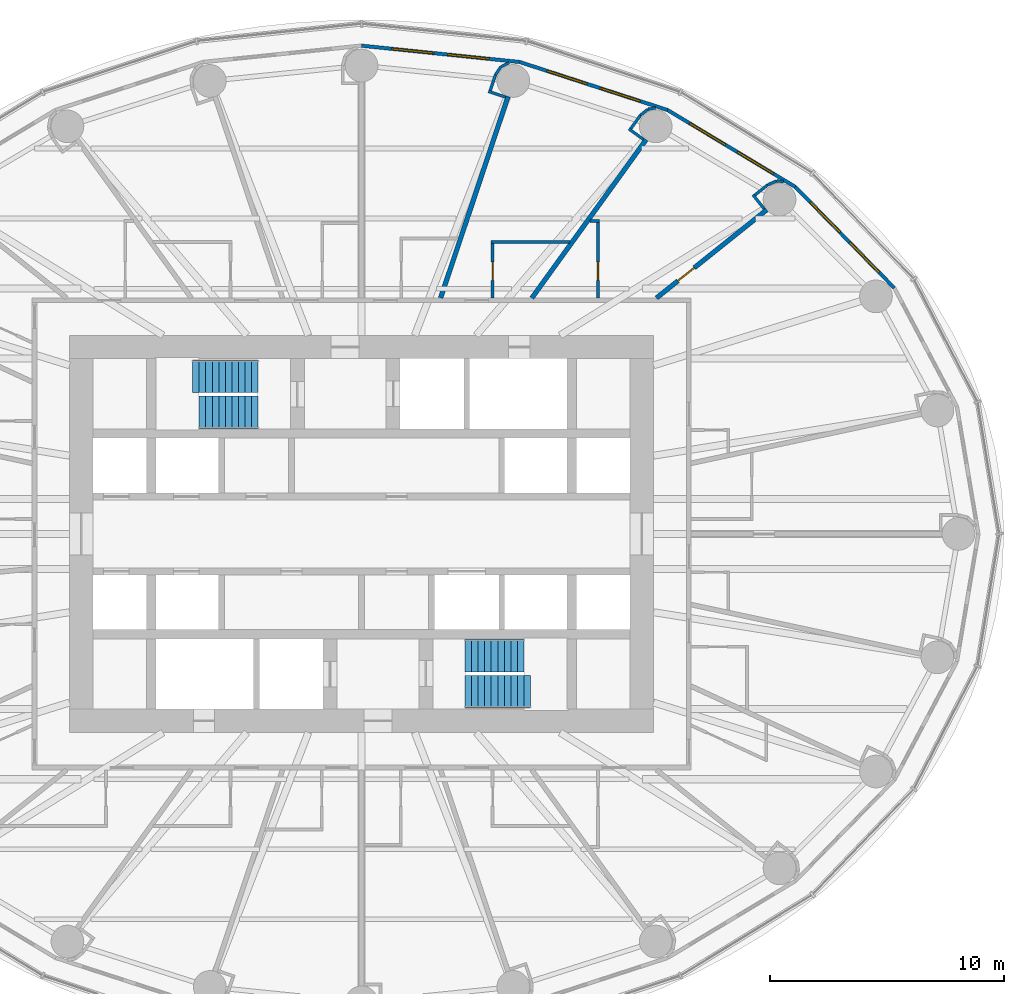
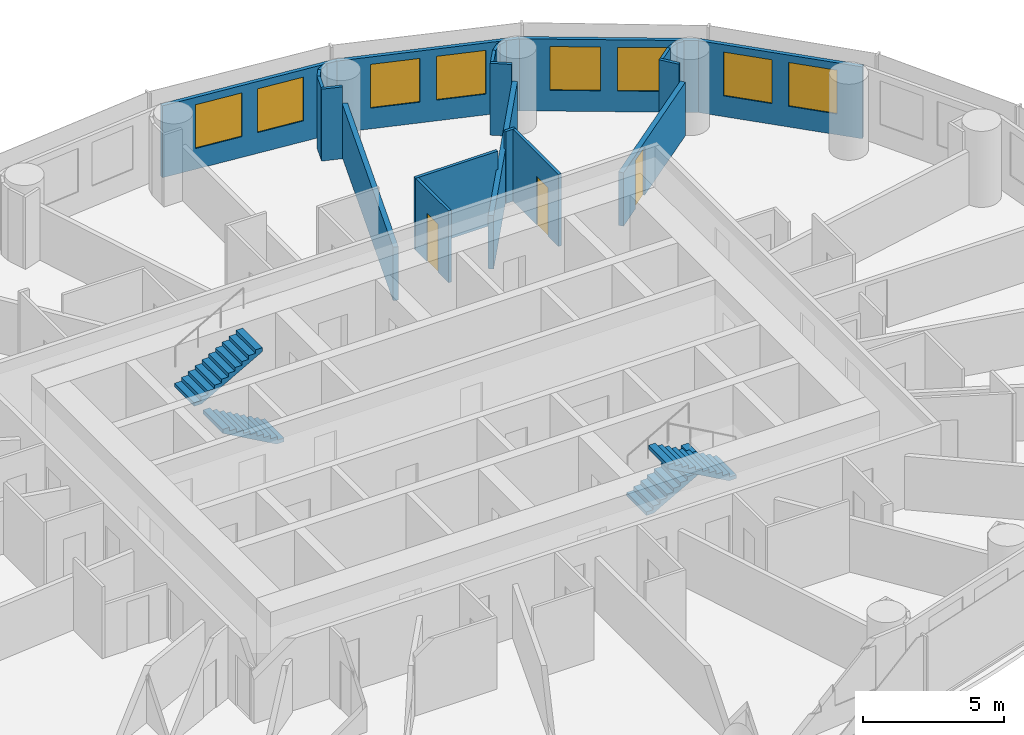
# One storey, part 13 of 14: 23 walls, 8 windows, 4 stair flights, 3 doors, 11 openings, 2 elements without a shape of their own.
"""IFC4 building model written with IfcOpenShell, lengths in metres."""

from ifc_helpers import new_model, si_unit, direction, frame, frame_2d, origin, place, context, subcontext, project, spatial, polyline, rectangle, outline, extrude, material, layer, layer_set, type_object, element, fill, aggregate, save


model = new_model("IFC4")

# Units and contexts
model_context = context("Model", 3, precision=1e-05, world=origin(), true_north=direction((0.0, 1.0)))
body_context = subcontext(model_context, "Body", "Model", "MODEL_VIEW")
ifc_project = project(units=[si_unit("LENGTHUNIT", "METRE"), si_unit("AREAUNIT", "SQUARE_METRE"), si_unit("VOLUMEUNIT", "CUBIC_METRE"), si_unit("PLANEANGLEUNIT", "RADIAN"), si_unit("MASSUNIT", "GRAM", prefix="KILO")], contexts=[model_context])

# Site, building, storey
site_placement = place(None, origin())
site = spatial("IfcSite", under=ifc_project, at=site_placement, CompositionType="ELEMENT")
building_placement = place(site_placement, origin())
building = spatial("IfcBuilding", under=site, at=building_placement, Name="Hankou Lantern Tower", CompositionType="ELEMENT")
storey_placement = place(building_placement, frame((0.0, 0.0, 63.89990234375)))
storey = spatial("IfcBuildingStorey", under=building, at=storey_placement, Name="L15", CompositionType="ELEMENT", Elevation=63.89990234375)

# Wall, openings, windows
ifc_material_1 = material(Name="Aluminium spandrel panel on steel studs", Category="steel")
ifc_layer_1 = layer(ifc_material_1, 0.14990234375)
ifc_layer_set_1 = layer_set([ifc_layer_1], Name="Aluminium spandrel panel on steel studs")
wall_type_1 = type_object("IfcWallType", Name="EW1 INNER SKIN WALL 150", PredefinedType="ELEMENTEDWALL", material=ifc_layer_set_1)
wall_1_placement = place(storey_placement, frame((22.802734375, 10.5322265625, 0.0), z_axis=(0.0, 0.0, 1.0), x_axis=(-0.699602905915, 0.714531856557, 0.0)))
wall_1 = element("IfcWall", 1, at=wall_1_placement, inside=storey, type_object=wall_type_1, Name="Inner skin R03-R04 L15", PredefinedType="ELEMENTEDWALL", context=body_context, shape_type="SweptSolid", body=[
    extrude(rectangle(XDim=6.05078125, YDim=0.14990234375, at=frame_2d((3.025390625, 0.0))), origin(), (0.0, 0.0, 1.0), 3.1201171875),
])
opening_1_placement = place(wall_1_placement, frame((0.925537109375, 0.0, 0.89990234375)))
opening_1 = element("IfcOpeningElement", 2, at=opening_1_placement, cuts=wall_1, Name="Opening W1", PredefinedType="OPENING", context=body_context, shape_type="SweptSolid", body=[
    extrude(rectangle(XDim=1.800048828125, YDim=1.89990234375, at=frame_2d((0.89990234375, 0.949951171875))), frame((0.0, 0.0849609375, 0.0), z_axis=(0.0, -1.0, 0.0), x_axis=(1.0, 0.0, 0.0)), (0.0, 0.0, 1.0), 0.169921875),
])
opening_2_placement = place(wall_1_placement, frame((3.325439453125, 0.0, 0.89990234375)))
opening_2 = element("IfcOpeningElement", 3, at=opening_2_placement, cuts=wall_1, Name="Opening W1", PredefinedType="OPENING", context=body_context, shape_type="SweptSolid", body=[
    extrude(rectangle(XDim=1.800048828125, YDim=1.89990234375, at=frame_2d((0.89990234375, 0.949951171875))), frame((0.0, 0.0849609375, 0.0), z_axis=(0.0, -1.0, 0.0), x_axis=(1.0, 0.0, 0.0)), (0.0, 0.0, 1.0), 0.169921875),
])
ifc_material_2 = material(Name="Aluminium framed double glazed window", Category="aluminium")
window_type = type_object("IfcWindowType", Name="W1 GUEST ROOM WINDOW 1800X1900", PartitioningType="DOUBLE_PANEL_VERTICAL", PredefinedType="WINDOW", material=ifc_material_2)
window_1_placement = place(opening_1_placement, origin())
window_1 = element("IfcWindow", 4, at=window_1_placement, inside=storey, type_object=window_type, Name="Window R03.1 L15", OverallHeight=1.89990234375, OverallWidth=1.800048828125, PartitioningType="SINGLE_PANEL", PredefinedType="WINDOW", context=body_context, shape_type="SweptSolid", body=[
    extrude(rectangle(XDim=1.800048828125, YDim=1.89990234375, at=frame_2d((0.89990234375, 0.949951171875))), frame((0.0, 0.030029296875, 0.0), z_axis=(0.0, -1.0, 0.0), x_axis=(1.0, 0.0, 0.0)), (0.0, 0.0, 1.0), 0.06005859375),
])
fill(opening_1, window_1)
window_2_placement = place(opening_2_placement, origin())
window_2 = element("IfcWindow", 5, at=window_2_placement, inside=storey, type_object=window_type, Name="Window R03.2 L15", OverallHeight=1.89990234375, OverallWidth=1.800048828125, PartitioningType="SINGLE_PANEL", PredefinedType="WINDOW", context=body_context, shape_type="SweptSolid", body=[
    extrude(rectangle(XDim=1.800048828125, YDim=1.89990234375, at=frame_2d((0.89990234375, 0.949951171875))), frame((0.0, 0.030029296875, 0.0), z_axis=(0.0, -1.0, 0.0), x_axis=(1.0, 0.0, 0.0)), (0.0, 0.0, 1.0), 0.06005859375),
])
fill(opening_2, window_2)

wall_2_placement = place(storey_placement, frame((18.569580078125, 14.855712890625, 0.0), z_axis=(0.0, 0.0, 1.0), x_axis=(-0.856983180864, 0.515344377787, 0.0)))
wall_2 = element("IfcWall", 6, at=wall_2_placement, inside=storey, type_object=wall_type_1, Name="Inner skin R04-R05 L15", PredefinedType="ELEMENTEDWALL", context=body_context, shape_type="SweptSolid", body=[
    extrude(rectangle(XDim=6.386474609375, YDim=0.14990234375, at=frame_2d((3.193359375, 0.0))), origin(), (0.0, 0.0, 1.0), 3.1201171875),
])
opening_3_placement = place(wall_2_placement, frame((1.09326171875, 0.0, 0.89990234375)))
opening_3 = element("IfcOpeningElement", 7, at=opening_3_placement, cuts=wall_2, Name="Opening W1", PredefinedType="OPENING", context=body_context, shape_type="SweptSolid", body=[
    extrude(rectangle(XDim=1.800048828125, YDim=1.89990234375, at=frame_2d((0.89990234375, 0.949951171875))), frame((0.0, 0.0849609375, 0.0), z_axis=(0.0, -1.0, 0.0), x_axis=(1.0, 0.0, 0.0)), (0.0, 0.0, 1.0), 0.169921875),
])
opening_4_placement = place(wall_2_placement, frame((3.4931640625, 0.0, 0.89990234375)))
opening_4 = element("IfcOpeningElement", 8, at=opening_4_placement, cuts=wall_2, Name="Opening W1", PredefinedType="OPENING", context=body_context, shape_type="SweptSolid", body=[
    extrude(rectangle(XDim=1.800048828125, YDim=1.89990234375, at=frame_2d((0.89990234375, 0.949951171875))), frame((0.0, 0.0849609375, 0.0), z_axis=(0.0, -1.0, 0.0), x_axis=(1.0, 0.0, 0.0)), (0.0, 0.0, 1.0), 0.169921875),
])
window_3_placement = place(opening_3_placement, origin())
window_3 = element("IfcWindow", 9, at=window_3_placement, inside=storey, type_object=window_type, Name="Window R04.1 L15", OverallHeight=1.89990234375, OverallWidth=1.800048828125, PartitioningType="SINGLE_PANEL", PredefinedType="WINDOW", context=body_context, shape_type="SweptSolid", body=[
    extrude(rectangle(XDim=1.800048828125, YDim=1.89990234375, at=frame_2d((0.89990234375, 0.949951171875))), frame((0.0, 0.030029296875, 0.0), z_axis=(0.0, -1.0, 0.0), x_axis=(1.0, 0.0, 0.0)), (0.0, 0.0, 1.0), 0.06005859375),
])
fill(opening_3, window_3)
window_4_placement = place(opening_4_placement, origin())
window_4 = element("IfcWindow", 10, at=window_4_placement, inside=storey, type_object=window_type, Name="Window R04.2 L15", OverallHeight=1.89990234375, OverallWidth=1.800048828125, PartitioningType="SINGLE_PANEL", PredefinedType="WINDOW", context=body_context, shape_type="SweptSolid", body=[
    extrude(rectangle(XDim=1.800048828125, YDim=1.89990234375, at=frame_2d((0.89990234375, 0.949951171875))), frame((0.0, 0.030029296875, 0.0), z_axis=(0.0, -1.0, 0.0), x_axis=(1.0, 0.0, 0.0)), (0.0, 0.0, 1.0), 0.06005859375),
])
fill(opening_4, window_4)

wall_3_placement = place(storey_placement, frame((13.096435546875, 18.14697265625, 0.0), z_axis=(0.0, 0.0, 1.0), x_axis=(-0.951137534625, 0.308767534285, 0.0)))
wall_3 = element("IfcWall", 11, at=wall_3_placement, inside=storey, type_object=wall_type_1, Name="Inner skin R05-R06 L15", PredefinedType="ELEMENTEDWALL", context=body_context, shape_type="SweptSolid", body=[
    extrude(rectangle(XDim=6.6552734375, YDim=0.14990234375, at=frame_2d((3.32763671875, 0.0))), origin(), (0.0, 0.0, 1.0), 3.1201171875),
])
opening_5_placement = place(wall_3_placement, frame((1.2275390625, 0.0, 0.89990234375)))
opening_5 = element("IfcOpeningElement", 12, at=opening_5_placement, cuts=wall_3, Name="Opening W1", PredefinedType="OPENING", context=body_context, shape_type="SweptSolid", body=[
    extrude(rectangle(XDim=1.800048828125, YDim=1.89990234375, at=frame_2d((0.89990234375, 0.949951171875))), frame((0.0, 0.0849609375, 0.0), z_axis=(0.0, -1.0, 0.0), x_axis=(1.0, 0.0, 0.0)), (0.0, 0.0, 1.0), 0.169921875),
])
opening_6_placement = place(wall_3_placement, frame((3.627685546875, 0.0, 0.89990234375)))
opening_6 = element("IfcOpeningElement", 13, at=opening_6_placement, cuts=wall_3, Name="Opening W1", PredefinedType="OPENING", context=body_context, shape_type="SweptSolid", body=[
    extrude(rectangle(XDim=1.800048828125, YDim=1.89990234375, at=frame_2d((0.89990234375, 0.949951171875))), frame((0.0, 0.0849609375, 0.0), z_axis=(0.0, -1.0, 0.0), x_axis=(1.0, 0.0, 0.0)), (0.0, 0.0, 1.0), 0.169921875),
])
window_5_placement = place(opening_5_placement, origin())
window_5 = element("IfcWindow", 14, at=window_5_placement, inside=storey, type_object=window_type, Name="Window R05.1 L15", OverallHeight=1.89990234375, OverallWidth=1.800048828125, PartitioningType="SINGLE_PANEL", PredefinedType="WINDOW", context=body_context, shape_type="SweptSolid", body=[
    extrude(rectangle(XDim=1.800048828125, YDim=1.89990234375, at=frame_2d((0.89990234375, 0.949951171875))), frame((0.0, 0.030029296875, 0.0), z_axis=(0.0, -1.0, 0.0), x_axis=(1.0, 0.0, 0.0)), (0.0, 0.0, 1.0), 0.06005859375),
])
fill(opening_5, window_5)
window_6_placement = place(opening_6_placement, origin())
window_6 = element("IfcWindow", 15, at=window_6_placement, inside=storey, type_object=window_type, Name="Window R05.2 L15", OverallHeight=1.89990234375, OverallWidth=1.800048828125, PartitioningType="SINGLE_PANEL", PredefinedType="WINDOW", context=body_context, shape_type="SweptSolid", body=[
    extrude(rectangle(XDim=1.800048828125, YDim=1.89990234375, at=frame_2d((0.89990234375, 0.949951171875))), frame((0.0, 0.030029296875, 0.0), z_axis=(0.0, -1.0, 0.0), x_axis=(1.0, 0.0, 0.0)), (0.0, 0.0, 1.0), 0.06005859375),
])
fill(opening_6, window_6)

wall_4_placement = place(storey_placement, frame((6.766357421875, 20.201904296875, 0.0), z_axis=(0.0, 0.0, 1.0), x_axis=(-0.994721394369, 0.102612609291, 0.0)))
wall_4 = element("IfcWall", 16, at=wall_4_placement, inside=storey, type_object=wall_type_1, Name="Inner skin R06-R07 L15", PredefinedType="ELEMENTEDWALL", context=body_context, shape_type="SweptSolid", body=[
    extrude(rectangle(XDim=6.80224609375, YDim=0.14990234375, at=frame_2d((3.401123046875, 0.0))), origin(), (0.0, 0.0, 1.0), 3.1201171875),
])
opening_7_placement = place(wall_4_placement, frame((1.301025390625, 0.0, 0.89990234375)))
opening_7 = element("IfcOpeningElement", 17, at=opening_7_placement, cuts=wall_4, Name="Opening W1", PredefinedType="OPENING", context=body_context, shape_type="SweptSolid", body=[
    extrude(rectangle(XDim=1.800048828125, YDim=1.89990234375, at=frame_2d((0.89990234375, 0.949951171875))), frame((0.0, 0.0849609375, 0.0), z_axis=(0.0, -1.0, 0.0), x_axis=(1.0, 0.0, 0.0)), (0.0, 0.0, 1.0), 0.169921875),
])
opening_8_placement = place(wall_4_placement, frame((3.701171875, 0.0, 0.89990234375)))
opening_8 = element("IfcOpeningElement", 18, at=opening_8_placement, cuts=wall_4, Name="Opening W1", PredefinedType="OPENING", context=body_context, shape_type="SweptSolid", body=[
    extrude(rectangle(XDim=1.800048828125, YDim=1.89990234375, at=frame_2d((0.89990234375, 0.949951171875))), frame((0.0, 0.0849609375, 0.0), z_axis=(0.0, -1.0, 0.0), x_axis=(1.0, 0.0, 0.0)), (0.0, 0.0, 1.0), 0.169921875),
])
window_7_placement = place(opening_7_placement, origin())
window_7 = element("IfcWindow", 19, at=window_7_placement, inside=storey, type_object=window_type, Name="Window R06.1 L15", OverallHeight=1.89990234375, OverallWidth=1.800048828125, PartitioningType="SINGLE_PANEL", PredefinedType="WINDOW", context=body_context, shape_type="SweptSolid", body=[
    extrude(rectangle(XDim=1.800048828125, YDim=1.89990234375, at=frame_2d((0.89990234375, 0.949951171875))), frame((0.0, 0.030029296875, 0.0), z_axis=(0.0, -1.0, 0.0), x_axis=(1.0, 0.0, 0.0)), (0.0, 0.0, 1.0), 0.06005859375),
])
fill(opening_7, window_7)
window_8_placement = place(opening_8_placement, origin())
window_8 = element("IfcWindow", 20, at=window_8_placement, inside=storey, type_object=window_type, Name="Window R06.2 L15", OverallHeight=1.89990234375, OverallWidth=1.800048828125, PartitioningType="SINGLE_PANEL", PredefinedType="WINDOW", context=body_context, shape_type="SweptSolid", body=[
    extrude(rectangle(XDim=1.800048828125, YDim=1.89990234375, at=frame_2d((0.89990234375, 0.949951171875))), frame((0.0, 0.030029296875, 0.0), z_axis=(0.0, -1.0, 0.0), x_axis=(1.0, 0.0, 0.0)), (0.0, 0.0, 1.0), 0.06005859375),
])
fill(opening_8, window_8)

# Walls
ifc_material_3 = material(Name="Masonry lightweight concrete block", Category="masonry")
ifc_layer_2 = layer(ifc_material_3, 0.199951171875)
ifc_layer_set_2 = layer_set([ifc_layer_2], Name="Masonry lightweight concrete block")
wall_type_2 = type_object("IfcWallType", Name="IW1 GUEST ROOM PARTY WALL 200", PredefinedType="PARTITIONING", material=ifc_layer_set_2)
wall_5_placement = place(storey_placement, frame((7.2890625, 10.10009765625, 0.0), z_axis=(0.0, 0.0, 1.0), x_axis=(0.585198353053, 0.810890182197, 0.0)))
element("IfcWall", 21, at=wall_5_placement, inside=storey, type_object=wall_type_2, Name="Party wall R05", PredefinedType="PARTITIONING", context=body_context, shape_type="SweptSolid", body=[
    extrude(rectangle(XDim=8.359619140625, YDim=0.199951171875, at=frame_2d((4.1796875, 0.0))), origin(), (0.0, 0.0, 1.0), 2.320068359375),
])
wall_6_placement = place(storey_placement, frame((3.3828125, 10.10009765625, 0.0), z_axis=(0.0, 0.0, 1.0), x_axis=(0.31759592231, 0.948226149256, 0.0)))
element("IfcWall", 22, at=wall_6_placement, inside=storey, type_object=wall_type_2, Name="Party wall R06", PredefinedType="PARTITIONING", context=body_context, shape_type="SweptSolid", body=[
    extrude(rectangle(XDim=9.098388671875, YDim=0.199951171875, at=frame_2d((4.54931640625, 0.0))), origin(), (0.0, 0.0, 1.0), 2.320068359375),
])
ifc_material_4 = material(Name="Masonry lightweight concrete block", Category="masonry")
ifc_layer_3 = layer(ifc_material_4, 0.1201171875)
ifc_layer_set_3 = layer_set([ifc_layer_3], Name="Masonry lightweight concrete block")
wall_type_3 = type_object("IfcWallType", Name="IW3 BATHROOM WALL 120", PredefinedType="PARTITIONING", material=ifc_layer_set_3)
wall_7_placement = place(storey_placement, frame((9.7705078125, 13.39990234375, 0.0), z_axis=(0.0, 0.0, 1.0), x_axis=(1.0, 0.0, 0.0)))
element("IfcWall", 23, at=wall_7_placement, inside=storey, type_object=wall_type_3, Name="Box wall 1504A 1", PredefinedType="PARTITIONING", context=body_context, shape_type="SweptSolid", body=[
    extrude(rectangle(XDim=0.408447265625, YDim=0.1201171875, at=frame_2d((0.2041015625, 0.0))), origin(), (0.0, 0.0, 1.0), 3.1201171875),
])

# Wall, opening, door
wall_8_placement = place(storey_placement, frame((10.119140625, 10.10009765625, 0.0), z_axis=(0.0, 0.0, 1.0), x_axis=(0.0, 1.0, 0.0)))
wall_8 = element("IfcWall", 24, at=wall_8_placement, inside=storey, type_object=wall_type_3, Name="Box wall 1504A 1", PredefinedType="PARTITIONING", context=body_context, shape_type="SweptSolid", body=[
    extrude(rectangle(XDim=3.239990234375, YDim=0.1201171875, at=frame_2d((1.6201171875, 0.0))), origin(), (0.0, 0.0, 1.0), 3.1201171875),
])
opening_9_placement = place(wall_8_placement, frame((0.75, 0.0, 0.0)))
opening_9 = element("IfcOpeningElement", 25, at=opening_9_placement, cuts=wall_8, Name="Opening D3", PredefinedType="OPENING", context=body_context, shape_type="SweptSolid", body=[
    extrude(rectangle(XDim=0.800048828125, YDim=2.10009765625, at=frame_2d((0.39990234375, 1.050048828125))), frame((0.0, 0.070068359375, 0.0), z_axis=(0.0, -1.0, 0.0), x_axis=(1.0, 0.0, 0.0)), (0.0, 0.0, 1.0), 0.14013671875),
])
ifc_material_5 = material(Name="Timber door leaf", Category="wood")
door_type_1 = type_object("IfcDoorType", Name="D3 BATHROOM DOOR 800X2100", OperationType="SINGLE_SWING_LEFT", PredefinedType="DOOR", material=ifc_material_5)
door_1_placement = place(opening_9_placement, origin())
door_1 = element("IfcDoor", 26, at=door_1_placement, inside=storey, type_object=door_type_1, Name="Corner suite 1504 bathroom door", OperationType="SINGLE_SWING_LEFT", OverallHeight=2.10009765625, OverallWidth=0.800048828125, PredefinedType="DOOR", context=body_context, shape_type="SweptSolid", body=[
    extrude(rectangle(XDim=0.800048828125, YDim=2.10009765625, at=frame_2d((0.39990234375, 1.050048828125))), frame((0.0, 0.02490234375, 0.0), z_axis=(0.0, -1.0, 0.0), x_axis=(1.0, 0.0, 0.0)), (0.0, 0.0, 1.0), 0.050048828125),
])
fill(opening_9, door_1)

# Wall
wall_9_placement = place(storey_placement, frame((8.921142578125, 12.5, 0.0), z_axis=(0.0, 0.0, 1.0), x_axis=(-1.0, 0.0, 0.0)))
element("IfcWall", 27, at=wall_9_placement, inside=storey, type_object=wall_type_3, Name="Box wall 1505 1", PredefinedType="PARTITIONING", context=body_context, shape_type="SweptSolid", body=[
    extrude(rectangle(XDim=3.3720703125, YDim=0.1201171875, at=frame_2d((1.68603515625, 0.0))), origin(), (0.0, 0.0, 1.0), 3.1201171875),
])

# Wall, opening, door
wall_10_placement = place(storey_placement, frame((5.609130859375, 10.10009765625, 0.0), z_axis=(0.0, 0.0, 1.0), x_axis=(0.0, 1.0, 0.0)))
wall_10 = element("IfcWall", 28, at=wall_10_placement, inside=storey, type_object=wall_type_3, Name="Box wall 1505 1", PredefinedType="PARTITIONING", context=body_context, shape_type="SweptSolid", body=[
    extrude(rectangle(XDim=2.33984375, YDim=0.1201171875, at=frame_2d((1.169921875, 0.0))), origin(), (0.0, 0.0, 1.0), 3.1201171875),
])
opening_10_placement = place(wall_10_placement, frame((0.75, 0.0, 0.0)))
opening_10 = element("IfcOpeningElement", 29, at=opening_10_placement, cuts=wall_10, Name="Opening D3", PredefinedType="OPENING", context=body_context, shape_type="SweptSolid", body=[
    extrude(rectangle(XDim=0.800048828125, YDim=2.10009765625, at=frame_2d((0.39990234375, 1.050048828125))), frame((0.0, 0.070068359375, 0.0), z_axis=(0.0, -1.0, 0.0), x_axis=(1.0, 0.0, 0.0)), (0.0, 0.0, 1.0), 0.14013671875),
])
door_2_placement = place(opening_10_placement, origin())
door_2 = element("IfcDoor", 30, at=door_2_placement, inside=storey, type_object=door_type_1, Name="En-suite bathroom 1505 door", OperationType="SINGLE_SWING_LEFT", OverallHeight=2.10009765625, OverallWidth=0.800048828125, PredefinedType="DOOR", context=body_context, shape_type="SweptSolid", body=[
    extrude(rectangle(XDim=0.800048828125, YDim=2.10009765625, at=frame_2d((0.39990234375, 1.050048828125))), frame((0.0, 0.02490234375, 0.0), z_axis=(0.0, -1.0, 0.0), x_axis=(1.0, 0.0, 0.0)), (0.0, 0.0, 1.0), 0.050048828125),
])
fill(opening_10, door_2)

# Walls
ifc_material_6 = material(Name="Masonry lightweight concrete block", Category="masonry")
ifc_layer_4 = layer(ifc_material_6, 0.1201171875)
ifc_layer_set_4 = layer_set([ifc_layer_4], Name="Masonry lightweight concrete block")
wall_type_4 = type_object("IfcWallType", Name="IW4 PARTITION 120", PredefinedType="PARTITIONING", material=ifc_layer_set_4)
wall_11_placement = place(storey_placement, frame((17.23583984375, 13.916748046875, 0.0), z_axis=(0.0, 0.0, 1.0), x_axis=(-0.624695047554, 0.780868809443, 0.0)))
element("IfcWall", 31, at=wall_11_placement, inside=storey, type_object=wall_type_4, Name="Column casing R04 return", PredefinedType="PARTITIONING", context=body_context, shape_type="SweptSolid", body=[
    extrude(rectangle(XDim=0.767578125, YDim=0.1201171875, at=frame_2d((0.3837890625, 0.0))), origin(), (0.0, 0.0, 1.0), 3.1201171875),
])
wall_12_placement = place(storey_placement, frame((16.840576171875, 14.506591796875, 0.0), z_axis=(0.0, 0.0, 1.0), x_axis=(0.780902834923, 0.62465251333, 0.0)))
element("IfcWall", 32, at=wall_12_placement, inside=storey, type_object=wall_type_4, Name="Column casing R04", PredefinedType="PARTITIONING", context=body_context, shape_type="SweptSolid", body=[
    extrude(rectangle(XDim=0.699951171875, YDim=0.1201171875, at=frame_2d((0.35009765625, 0.0))), origin(), (0.0, 0.0, 1.0), 3.1201171875),
])
wall_13_placement = place(storey_placement, frame((17.38720703125, 14.94384765625, 0.0), z_axis=(0.0, 0.0, 1.0), x_axis=(0.916036698064, 0.401094462441, 0.0)))
element("IfcWall", 33, at=wall_13_placement, inside=storey, type_object=wall_type_4, Name="Column casing R04", PredefinedType="PARTITIONING", context=body_context, shape_type="SweptSolid", body=[
    extrude(rectangle(XDim=0.418212890625, YDim=0.1201171875, at=frame_2d((0.208984375, 0.0))), origin(), (0.0, 0.0, 1.0), 3.1201171875),
])
wall_14_placement = place(storey_placement, frame((17.770263671875, 15.111572265625, 0.0), z_axis=(0.0, 0.0, 1.0), x_axis=(0.993904401174, -0.110245368731, 0.0)))
element("IfcWall", 34, at=wall_14_placement, inside=storey, type_object=wall_type_4, Name="Column casing R04", PredefinedType="PARTITIONING", context=body_context, shape_type="SweptSolid", body=[
    extrude(rectangle(XDim=0.287841796875, YDim=0.1201171875, at=frame_2d((0.14404296875, 0.0))), origin(), (0.0, 0.0, 1.0), 3.1201171875),
])
wall_15_placement = place(storey_placement, frame((12.06494140625, 16.888671875, 0.0), z_axis=(0.0, 0.0, 1.0), x_axis=(-0.810821798253, 0.585293098778, 0.0)))
element("IfcWall", 35, at=wall_15_placement, inside=storey, type_object=wall_type_4, Name="Column casing R05 return", PredefinedType="PARTITIONING", context=body_context, shape_type="SweptSolid", body=[
    extrude(rectangle(XDim=0.767578125, YDim=0.1201171875, at=frame_2d((0.3837890625, 0.0))), origin(), (0.0, 0.0, 1.0), 3.1201171875),
])
wall_16_placement = place(storey_placement, frame((11.5263671875, 17.351318359375, 0.0), z_axis=(0.0, 0.0, 1.0), x_axis=(0.585223113993, 0.810872312296, 0.0)))
element("IfcWall", 36, at=wall_16_placement, inside=storey, type_object=wall_type_4, Name="Column casing R05", PredefinedType="PARTITIONING", context=body_context, shape_type="SweptSolid", body=[
    extrude(rectangle(XDim=0.699951171875, YDim=0.1201171875, at=frame_2d((0.35009765625, 0.0))), origin(), (0.0, 0.0, 1.0), 3.1201171875),
])
wall_17_placement = place(storey_placement, frame((11.93603515625, 17.9189453125, 0.0), z_axis=(0.0, 0.0, 1.0), x_axis=(0.775023088441, 0.631932917629, 0.0)))
element("IfcWall", 37, at=wall_17_placement, inside=storey, type_object=wall_type_4, Name="Column casing R05", PredefinedType="PARTITIONING", context=body_context, shape_type="SweptSolid", body=[
    extrude(rectangle(XDim=0.41796875, YDim=0.1201171875, at=frame_2d((0.208984375, 0.0))), origin(), (0.0, 0.0, 1.0), 3.1201171875),
])
wall_18_placement = place(storey_placement, frame((12.260009765625, 18.18310546875, 0.0), z_axis=(0.0, 0.0, 1.0), x_axis=(0.987218661664, 0.159371622511, 0.0)))
element("IfcWall", 38, at=wall_18_placement, inside=storey, type_object=wall_type_4, Name="Column casing R05", PredefinedType="PARTITIONING", context=body_context, shape_type="SweptSolid", body=[
    extrude(rectangle(XDim=0.330810546875, YDim=0.1201171875, at=frame_2d((0.16552734375, 0.0))), origin(), (0.0, 0.0, 1.0), 3.1201171875),
])
wall_19_placement = place(storey_placement, frame((6.15869140625, 18.702392578125, 0.0), z_axis=(0.0, 0.0, 1.0), x_axis=(-0.948173154049, 0.31775410295, 0.0)))
element("IfcWall", 39, at=wall_19_placement, inside=storey, type_object=wall_type_4, Name="Column casing R06 return", PredefinedType="PARTITIONING", context=body_context, shape_type="SweptSolid", body=[
    extrude(rectangle(XDim=0.767578125, YDim=0.1201171875, at=frame_2d((0.3837890625, 0.0))), origin(), (0.0, 0.0, 1.0), 3.1201171875),
])
wall_20_placement = place(storey_placement, frame((5.5068359375, 18.984130859375, 0.0), z_axis=(0.0, 0.0, 1.0), x_axis=(0.317692050622, 0.948193946918, 0.0)))
element("IfcWall", 40, at=wall_20_placement, inside=storey, type_object=wall_type_4, Name="Column casing R06", PredefinedType="PARTITIONING", context=body_context, shape_type="SweptSolid", body=[
    extrude(rectangle(XDim=0.7001953125, YDim=0.1201171875, at=frame_2d((0.35009765625, 0.0))), origin(), (0.0, 0.0, 1.0), 3.1201171875),
])
wall_21_placement = place(storey_placement, frame((5.729248046875, 19.64794921875, 0.0), z_axis=(0.0, 0.0, 1.0), x_axis=(0.552135764955, 0.833754218615, 0.0)))
element("IfcWall", 41, at=wall_21_placement, inside=storey, type_object=wall_type_4, Name="Column casing R06", PredefinedType="PARTITIONING", context=body_context, shape_type="SweptSolid", body=[
    extrude(rectangle(XDim=0.41796875, YDim=0.1201171875, at=frame_2d((0.208984375, 0.0))), origin(), (0.0, 0.0, 1.0), 3.1201171875),
])
wall_22_placement = place(storey_placement, frame((5.9599609375, 19.996337890625, 0.0), z_axis=(0.0, 0.0, 1.0), x_axis=(0.895160725913, 0.445743507842, 0.0)))
element("IfcWall", 42, at=wall_22_placement, inside=storey, type_object=wall_type_4, Name="Column casing R06", PredefinedType="PARTITIONING", context=body_context, shape_type="SweptSolid", body=[
    extrude(rectangle(XDim=0.398681640625, YDim=0.1201171875, at=frame_2d((0.19921875, 0.0))), origin(), (0.0, 0.0, 1.0), 3.1201171875),
])

# Wall, opening, door
ifc_material_7 = material(Name="Masonry lightweight concrete block", Category="masonry")
ifc_layer_5 = layer(ifc_material_7, 0.199951171875)
ifc_layer_set_5 = layer_set([ifc_layer_5], Name="Masonry lightweight concrete block")
wall_type_5 = type_object("IfcWallType", Name="IW6 SUITE PARTITION 200", PredefinedType="PARTITIONING", material=ifc_layer_set_5)
wall_23_placement = place(storey_placement, frame((12.625, 10.10009765625, 0.0), z_axis=(0.0, 0.0, 1.0), x_axis=(0.780892451574, 0.624665493744, 0.0)))
wall_23 = element("IfcWall", 43, at=wall_23_placement, inside=storey, type_object=wall_type_5, Name="Suite partition R04", PredefinedType="PARTITIONING", context=body_context, shape_type="SweptSolid", body=[
    extrude(rectangle(XDim=6.044677734375, YDim=0.199951171875, at=frame_2d((3.0224609375, 0.0))), origin(), (0.0, 0.0, 1.0), 2.320068359375),
])
opening_11_placement = place(wall_23_placement, frame((1.169921875, 0.0, 0.0)))
opening_11 = element("IfcOpeningElement", 44, at=opening_11_placement, cuts=wall_23, Name="Opening D27", PredefinedType="OPENING", context=body_context, shape_type="SweptSolid", body=[
    extrude(rectangle(XDim=0.89990234375, YDim=2.10009765625, at=frame_2d((0.449951171875, 1.050048828125))), frame((0.0, 0.10986328125, 0.0), z_axis=(0.0, -1.0, 0.0), x_axis=(1.0, 0.0, 0.0)), (0.0, 0.0, 1.0), 0.219970703125),
])
ifc_material_8 = material(Name="Timber door leaf", Category="wood")
door_type_2 = type_object("IfcDoorType", Name="D27 INTERNAL DOOR 900X2100", OperationType="SINGLE_SWING_LEFT", PredefinedType="DOOR", material=ifc_material_8)
door_3_placement = place(opening_11_placement, origin())
door_3 = element("IfcDoor", 45, at=door_3_placement, inside=storey, type_object=door_type_2, Name="Corner suite 1504 bedroom door", OperationType="SINGLE_SWING_RIGHT", OverallHeight=2.10009765625, OverallWidth=0.89990234375, PredefinedType="DOOR", context=body_context, shape_type="SweptSolid", body=[
    extrude(rectangle(XDim=0.89990234375, YDim=2.10009765625, at=frame_2d((0.449951171875, 1.050048828125))), frame((0.0, 0.02490234375, 0.0), z_axis=(0.0, -1.0, 0.0), x_axis=(1.0, 0.0, 0.0)), (0.0, 0.0, 1.0), 0.050048828125),
])
fill(opening_11, door_3)

# Stair, stair flight
ifc_material_9 = material(Name="Concrete C40", Category="concrete")
stair_type = type_object("IfcStairType", Name="ST33 CORE STAIR 3300 RISE", PredefinedType="HALF_TURN_STAIR", material=ifc_material_9)
stair_1_placement = place(storey_placement, origin())
stair_1 = element("IfcStair", 46, at=stair_1_placement, inside=storey, type_object=stair_type, Name="Stair STA L15", PredefinedType="HALF_TURN_STAIR")
ifc_material_10 = material(Name="Concrete C40", Category="concrete")
stair_flight_type_1 = type_object("IfcStairFlightType", Name="CF10 CORE STAIR FLIGHT 1400 X 10 RISERS", PredefinedType="STRAIGHT", material=ifc_material_10)
stair_flight_1_placement = place(storey_placement, frame((-4.429931640625, 5.199951171875, 0.0), z_axis=(0.0, 0.0, 1.0), x_axis=(-1.0, 0.0, 0.0)))
stair_flight_1 = element("IfcStairFlight", 47, at=stair_flight_1_placement, type_object=stair_flight_type_1, Name="STA flight 1", NumberOfRisers=10, NumberOfTreads=9, PredefinedType="STRAIGHT", RiserHeight=0.157142857, TreadLength=0.28, context=body_context, shape_type="SweptSolid", body=[
    extrude(outline(polyline([(0.0, 0.0), (0.0, 0.1572265625), (0.280029296875, 0.1572265625), (0.280029296875, 0.314208984375), (0.56005859375, 0.314208984375), (0.56005859375, 0.471435546875), (0.840087890625, 0.471435546875), (0.840087890625, 0.628662109375), (1.1201171875, 0.628662109375), (1.1201171875, 0.78564453125), (1.39990234375, 0.78564453125), (1.39990234375, 0.94287109375), (1.679931640625, 0.94287109375), (1.679931640625, 1.10009765625), (1.9599609375, 1.10009765625), (1.9599609375, 1.257080078125), (2.239990234375, 1.257080078125), (2.239990234375, 1.414306640625), (2.52001953125, 1.414306640625), (2.52001953125, 1.571533203125), (2.52001953125, 1.242431640625), (0.306396484375, 0.0), (0.0, 0.0)])), frame((0.0, 0.699951171875, 0.0), z_axis=(0.0, -1.0, 0.0), x_axis=(1.0, 0.0, 0.0)), (0.0, 0.0, 1.0), 1.39990234375),
])

stair_2_placement = place(storey_placement, origin())
stair_2 = element("IfcStair", 48, at=stair_2_placement, inside=storey, type_object=stair_type, Name="Stair STB L15", PredefinedType="HALF_TURN_STAIR")
stair_flight_2_placement = place(storey_placement, frame((4.429931640625, -5.199951171875, 0.0), z_axis=(0.0, 0.0, 1.0), x_axis=(1.0, 0.0, 0.0)))
stair_flight_2 = element("IfcStairFlight", 49, at=stair_flight_2_placement, type_object=stair_flight_type_1, Name="STB flight 1", NumberOfRisers=10, NumberOfTreads=9, PredefinedType="STRAIGHT", RiserHeight=0.157142857, TreadLength=0.28, context=body_context, shape_type="SweptSolid", body=[
    extrude(outline(polyline([(0.0, 0.0), (0.0, 0.1572265625), (0.280029296875, 0.1572265625), (0.280029296875, 0.314208984375), (0.56005859375, 0.314208984375), (0.56005859375, 0.471435546875), (0.840087890625, 0.471435546875), (0.840087890625, 0.628662109375), (1.1201171875, 0.628662109375), (1.1201171875, 0.78564453125), (1.39990234375, 0.78564453125), (1.39990234375, 0.94287109375), (1.679931640625, 0.94287109375), (1.679931640625, 1.10009765625), (1.9599609375, 1.10009765625), (1.9599609375, 1.257080078125), (2.239990234375, 1.257080078125), (2.239990234375, 1.414306640625), (2.52001953125, 1.414306640625), (2.52001953125, 1.571533203125), (2.52001953125, 1.242431640625), (0.306396484375, 0.0), (0.0, 0.0)])), frame((0.0, 0.699951171875, 0.0), z_axis=(0.0, -1.0, 0.0), x_axis=(1.0, 0.0, 0.0)), (0.0, 0.0, 1.0), 1.39990234375),
])

# Stair flight
ifc_material_11 = material(Name="Concrete C40", Category="concrete")
stair_flight_type_2 = type_object("IfcStairFlightType", Name="CF11 CORE STAIR FLIGHT 1400 X 11 RISERS", PredefinedType="STRAIGHT", material=ifc_material_11)
stair_flight_3_placement = place(storey_placement, frame((-7.22998046875, 6.75, 1.571533203125), z_axis=(0.0, 0.0, 1.0), x_axis=(1.0, 0.0, 0.0)))
stair_flight_3 = element("IfcStairFlight", 50, at=stair_flight_3_placement, type_object=stair_flight_type_2, Name="STA flight 2", NumberOfRisers=11, NumberOfTreads=10, PredefinedType="STRAIGHT", RiserHeight=0.157142857, TreadLength=0.28, context=body_context, shape_type="SweptSolid", body=[
    extrude(outline(polyline([(0.0, 0.0), (0.0, 0.1572265625), (0.280029296875, 0.1572265625), (0.280029296875, 0.314208984375), (0.56005859375, 0.314208984375), (0.56005859375, 0.471435546875), (0.840087890625, 0.471435546875), (0.840087890625, 0.628662109375), (1.1201171875, 0.628662109375), (1.1201171875, 0.78564453125), (1.39990234375, 0.78564453125), (1.39990234375, 0.94287109375), (1.679931640625, 0.94287109375), (1.679931640625, 1.10009765625), (1.9599609375, 1.10009765625), (1.9599609375, 1.257080078125), (2.239990234375, 1.257080078125), (2.239990234375, 1.414306640625), (2.52001953125, 1.414306640625), (2.52001953125, 1.571533203125), (2.800048828125, 1.571533203125), (2.800048828125, 1.728515625), (2.800048828125, 1.3994140625), (0.306396484375, 0.0), (0.0, 0.0)])), frame((0.0, 0.699951171875, 0.0), z_axis=(0.0, -1.0, 0.0), x_axis=(1.0, 0.0, 0.0)), (0.0, 0.0, 1.0), 1.39990234375),
])

aggregate(stair_1, [stair_flight_1, stair_flight_3])

stair_flight_4_placement = place(storey_placement, frame((7.22998046875, -6.75, 1.571533203125), z_axis=(0.0, 0.0, 1.0), x_axis=(-1.0, 0.0, 0.0)))
stair_flight_4 = element("IfcStairFlight", 51, at=stair_flight_4_placement, type_object=stair_flight_type_2, Name="STB flight 2", NumberOfRisers=11, NumberOfTreads=10, PredefinedType="STRAIGHT", RiserHeight=0.157142857, TreadLength=0.28, context=body_context, shape_type="SweptSolid", body=[
    extrude(outline(polyline([(0.0, 0.0), (0.0, 0.1572265625), (0.280029296875, 0.1572265625), (0.280029296875, 0.314208984375), (0.56005859375, 0.314208984375), (0.56005859375, 0.471435546875), (0.840087890625, 0.471435546875), (0.840087890625, 0.628662109375), (1.1201171875, 0.628662109375), (1.1201171875, 0.78564453125), (1.39990234375, 0.78564453125), (1.39990234375, 0.94287109375), (1.679931640625, 0.94287109375), (1.679931640625, 1.10009765625), (1.9599609375, 1.10009765625), (1.9599609375, 1.257080078125), (2.239990234375, 1.257080078125), (2.239990234375, 1.414306640625), (2.52001953125, 1.414306640625), (2.52001953125, 1.571533203125), (2.800048828125, 1.571533203125), (2.800048828125, 1.728515625), (2.800048828125, 1.3994140625), (0.306396484375, 0.0), (0.0, 0.0)])), frame((0.0, 0.699951171875, 0.0), z_axis=(0.0, -1.0, 0.0), x_axis=(1.0, 0.0, 0.0)), (0.0, 0.0, 1.0), 1.39990234375),
])

aggregate(stair_2, [stair_flight_2, stair_flight_4])

save(model, "model.ifc")
